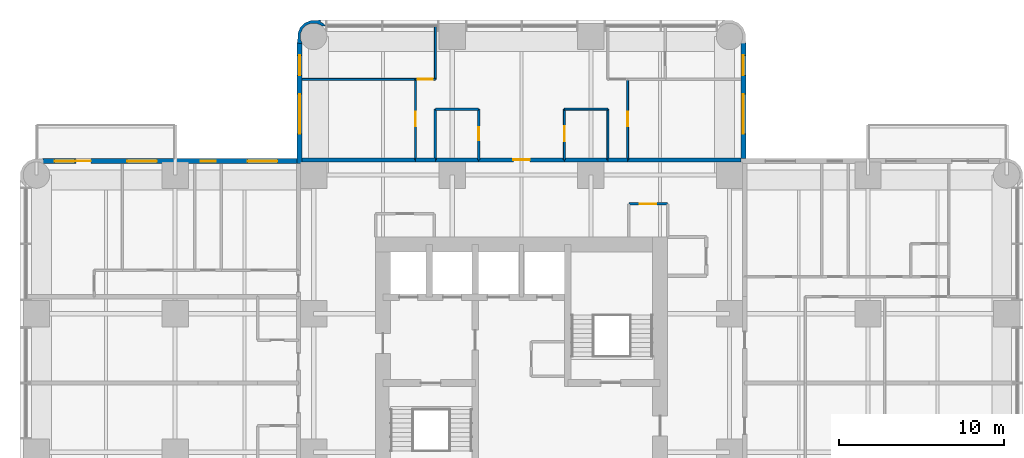
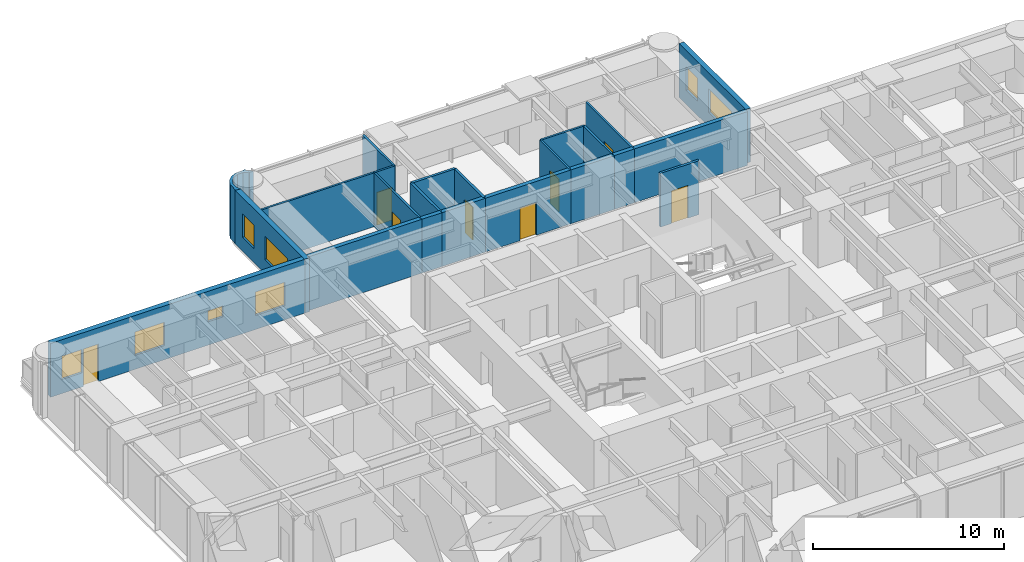
# One storey, part 11 of 14: 23 walls, 8 doors, 8 windows, 16 openings.
"""IFC4 building model written with IfcOpenShell, lengths in metres."""

from ifc_helpers import new_model, si_unit, direction, frame, frame_2d, origin, place, context, subcontext, project, spatial, polyline, rectangle, outline, extrude, material, layer, layer_set, type_object, element, fill, save


model = new_model("IFC4")

# Units and contexts
model_context = context("Model", 3, precision=1e-05, world=origin(), true_north=direction((0.0, 1.0)))
body_context = subcontext(model_context, "Body", "Model", "MODEL_VIEW")
ifc_project = project(units=[si_unit("LENGTHUNIT", "METRE"), si_unit("AREAUNIT", "SQUARE_METRE"), si_unit("VOLUMEUNIT", "CUBIC_METRE"), si_unit("PLANEANGLEUNIT", "RADIAN"), si_unit("MASSUNIT", "GRAM", prefix="KILO")], contexts=[model_context])

# Site, building, storey
site_placement = place(None, origin())
site = spatial("IfcSite", under=ifc_project, at=site_placement, CompositionType="ELEMENT")
building_placement = place(site_placement, origin())
building = spatial("IfcBuilding", under=site, at=building_placement, Name="Torre Alcanfor", CompositionType="ELEMENT")
storey_placement = place(building_placement, frame((0.0, 0.0, 137.699951171875)))
storey = spatial("IfcBuildingStorey", under=building, at=storey_placement, Name="L35", CompositionType="ELEMENT", Elevation=137.699951171875)

# Wall, opening, door
ifc_material_1 = material(Name="Concrete block masonry, hollow blocks NMX-C-404 9 MPa", Category="masonry")
ifc_layer_1 = layer(ifc_material_1, 0.25)
ifc_layer_set_1 = layer_set([ifc_layer_1], Name="Apartment entrance wall 250 EI 60")
wall_type_1 = type_object("IfcWallType", Name="Apartment entrance wall 250 EI 60", PredefinedType="PARTITIONING", material=ifc_layer_set_1)
wall_1_placement = place(storey_placement, frame((26.800048828125, 42.925048828125, 0.0), z_axis=(0.0, 0.0, 1.0), x_axis=(1.0, 0.0, 0.0)))
wall_1 = element("IfcWall", 1, at=wall_1_placement, inside=storey, type_object=wall_type_1, Name="Partition L35-CORR / L35-NX-ZAG", PredefinedType="PARTITIONING", context=body_context, shape_type="SweptSolid", body=[
    extrude(rectangle(XDim=5.199951171875, YDim=0.25, at=frame_2d((2.60009765625, 0.0))), origin(), (0.0, 0.0, 1.0), 3.449951171875),
])
opening_1_placement = place(wall_1_placement, frame((2.10009765625, 0.0, 0.0)))
opening_1 = element("IfcOpeningElement", 2, at=opening_1_placement, cuts=wall_1, Name="Opening D-A1", PredefinedType="OPENING", context=body_context, shape_type="SweptSolid", body=[
    extrude(rectangle(XDim=1.0, YDim=2.10009765625, at=frame_2d((0.5, 1.050048828125))), frame((0.0, 0.135009765625, 0.0), z_axis=(0.0, -1.0, 0.0), x_axis=(1.0, 0.0, 0.0)), (0.0, 0.0, 1.0), 0.27001953125),
])
ifc_material_2 = material(Name="Galvanised steel sheet ASTM A653", Category="steel")
door_type_1 = type_object("IfcDoorType", Name="Apartment entrance door FD60 1000x2100", OperationType="SINGLE_SWING_LEFT", PredefinedType="DOOR", material=ifc_material_2)
door_1_placement = place(opening_1_placement, origin())
door_1 = element("IfcDoor", 3, at=door_1_placement, inside=storey, type_object=door_type_1, Name="Apartment entrance L35-NX", OperationType="SINGLE_SWING_LEFT", OverallHeight=2.10009765625, OverallWidth=1.0, PredefinedType="DOOR", context=body_context, shape_type="SweptSolid", body=[
    extrude(rectangle(XDim=1.0, YDim=2.10009765625, at=frame_2d((0.5, 1.050048828125))), frame((0.0, 0.02490234375, 0.0), z_axis=(0.0, -1.0, 0.0), x_axis=(1.0, 0.0, 0.0)), (0.0, 0.0, 1.0), 0.050048828125),
])
fill(opening_1, door_1)

# Walls
wall_2_placement = place(storey_placement, frame((24.1708984375, 42.925048828125, 0.0), z_axis=(0.0, 0.0, 1.0), x_axis=(1.0, 0.0, 0.0)))
element("IfcWall", 4, at=wall_2_placement, inside=storey, type_object=wall_type_1, Name="Partition L35-CORR / L35-NX-BATH2", PredefinedType="PARTITIONING", context=body_context, shape_type="SweptSolid", body=[
    extrude(rectangle(XDim=2.629150390625, YDim=0.25, at=frame_2d((1.314453125, 0.0))), origin(), (0.0, 0.0, 1.0), 3.449951171875),
])
wall_3_placement = place(storey_placement, frame((32.0, 42.925048828125, 0.0), z_axis=(0.0, 0.0, 1.0), x_axis=(1.0, 0.0, 0.0)))
element("IfcWall", 5, at=wall_3_placement, inside=storey, type_object=wall_type_1, Name="Partition L35-CORR / L35-NX-KITCHEN", PredefinedType="PARTITIONING", context=body_context, shape_type="SweptSolid", body=[
    extrude(rectangle(XDim=2.62890625, YDim=0.25, at=frame_2d((1.314453125, 0.0))), origin(), (0.0, 0.0, 1.0), 3.449951171875),
])
wall_4_placement = place(storey_placement, frame((22.970947265625, 42.925048828125, 0.0), z_axis=(0.0, 0.0, 1.0), x_axis=(1.0, 0.0, 0.0)))
element("IfcWall", 6, at=wall_4_placement, inside=storey, type_object=wall_type_1, Name="Partition L35-CORR / L35-NX-LIVING", PredefinedType="PARTITIONING", context=body_context, shape_type="SweptSolid", body=[
    extrude(rectangle(XDim=1.199951171875, YDim=0.25, at=frame_2d((0.60009765625, 0.0))), origin(), (0.0, 0.0, 1.0), 3.449951171875),
])
wall_5_placement = place(storey_placement, frame((34.62890625, 42.925048828125, 0.0), z_axis=(0.0, 0.0, 1.0), x_axis=(1.0, 0.0, 0.0)))
element("IfcWall", 7, at=wall_5_placement, inside=storey, type_object=wall_type_1, Name="Partition L35-CORR / L35-NX-LIVING", PredefinedType="PARTITIONING", context=body_context, shape_type="SweptSolid", body=[
    extrude(rectangle(XDim=1.2001953125, YDim=0.25, at=frame_2d((0.60009765625, 0.0))), origin(), (0.0, 0.0, 1.0), 3.449951171875),
])
for number, where, z_axis, x_axis, name in (
    (8, (16.10009765625, 42.925048828125, 0.0), (0.0, 0.0, 1.0), (1.0, 0.0, 0.0), "Partition L35-CORR / L35-NX-BED2"),
    (9, (35.8291015625, 42.925048828125, 0.0), (0.0, 0.0, 1.0), (1.0, 0.0, 0.0), "Partition L35-CORR / L35-NX-BED3"),
):
    element("IfcWall", number, at=place(storey_placement, frame(where, z_axis=z_axis, x_axis=x_axis)), inside=storey, type_object=wall_type_1, Name=name, PredefinedType="PARTITIONING", context=body_context, shape_type="SweptSolid", body=[
        extrude(rectangle(XDim=6.870849609375, YDim=0.25, at=frame_2d((3.435546875, 0.0))), origin(), (0.0, 0.0, 1.0), 3.449951171875),
    ])

# Wall, opening, door
ifc_material_3 = material(Name="Gypsum board on steel studs", Category="steel")
ifc_layer_2 = layer(ifc_material_3, 0.1201171875)
ifc_layer_set_2 = layer_set([ifc_layer_2], Name="Apartment partition 120")
wall_type_2 = type_object("IfcWallType", Name="Apartment partition 120", PredefinedType="PARTITIONING", material=ifc_layer_set_2)
wall_6_placement = place(storey_placement, frame((32.0, 42.925048828125, 0.0), z_axis=(0.0, 0.0, 1.0), x_axis=(0.0, 1.0, 0.0)))
wall_6 = element("IfcWall", 10, at=wall_6_placement, inside=storey, type_object=wall_type_2, Name="Partition L35-NX-ZAG / L35-NX-KITCHEN", PredefinedType="PARTITIONING", context=body_context, shape_type="SweptSolid", body=[
    extrude(rectangle(XDim=3.074951171875, YDim=0.1201171875, at=frame_2d((1.53759765625, 0.0))), origin(), (0.0, 0.0, 1.0), 3.449951171875),
])
opening_2_placement = place(wall_6_placement, frame((1.125, 0.0, 0.0)))
opening_2 = element("IfcOpeningElement", 11, at=opening_2_placement, cuts=wall_6, Name="Opening D-R1", PredefinedType="OPENING", context=body_context, shape_type="SweptSolid", body=[
    extrude(rectangle(XDim=0.89990234375, YDim=2.10009765625, at=frame_2d((0.449951171875, 1.050048828125))), frame((0.0, 0.070068359375, 0.0), z_axis=(0.0, -1.0, 0.0), x_axis=(1.0, 0.0, 0.0)), (0.0, 0.0, 1.0), 0.14013671875),
])
ifc_material_4 = material(Name="Timber", Category="wood")
door_type_2 = type_object("IfcDoorType", Name="Internal door 900x2100", OperationType="SINGLE_SWING_LEFT", PredefinedType="DOOR", material=ifc_material_4)
door_2_placement = place(opening_2_placement, frame((0.89990234375, 0.0, 0.0), z_axis=(0.0, 0.0, 1.0), x_axis=(-1.0, 0.0, 0.0)))
door_2 = element("IfcDoor", 12, at=door_2_placement, inside=storey, type_object=door_type_2, Name="Door L35-NX kitchen", OperationType="SINGLE_SWING_LEFT", OverallHeight=2.10009765625, OverallWidth=0.89990234375, PredefinedType="DOOR", context=body_context, shape_type="SweptSolid", body=[
    extrude(rectangle(XDim=0.89990234375, YDim=2.10009765625, at=frame_2d((0.449951171875, 1.050048828125))), frame((0.0, 0.025146484375, 0.0), z_axis=(0.0, -1.0, 0.0), x_axis=(1.0, 0.0, 0.0)), (0.0, 0.0, 1.0), 0.050048828125),
])
fill(opening_2, door_2)

# Walls
wall_7_placement = place(storey_placement, frame((34.62890625, 42.925048828125, 0.0), z_axis=(0.0, 0.0, 1.0), x_axis=(0.0, 1.0, 0.0)))
element("IfcWall", 13, at=wall_7_placement, inside=storey, type_object=wall_type_2, Name="Partition L35-NX-KITCHEN / L35-NX-LIVING", PredefinedType="PARTITIONING", context=body_context, shape_type="SweptSolid", body=[
    extrude(rectangle(XDim=3.074951171875, YDim=0.1201171875, at=frame_2d((1.53759765625, 0.0))), origin(), (0.0, 0.0, 1.0), 3.449951171875),
])
wall_8_placement = place(storey_placement, frame((34.62890625, 46.0, 0.0), z_axis=(0.0, 0.0, 1.0), x_axis=(-1.0, 0.0, 0.0)))
element("IfcWall", 14, at=wall_8_placement, inside=storey, type_object=wall_type_2, Name="Partition L35-NX-KITCHEN / L35-NX-LIVING", PredefinedType="PARTITIONING", context=body_context, shape_type="SweptSolid", body=[
    extrude(rectangle(XDim=2.62890625, YDim=0.1201171875, at=frame_2d((1.314453125, 0.0))), origin(), (0.0, 0.0, 1.0), 3.449951171875),
])

# Wall, opening, door
wall_9_placement = place(storey_placement, frame((22.970947265625, 42.925048828125, 0.0), z_axis=(0.0, 0.0, 1.0), x_axis=(0.0, 1.0, 0.0)))
wall_9 = element("IfcWall", 15, at=wall_9_placement, inside=storey, type_object=wall_type_2, Name="Partition L35-NX-LIVING / L35-NX-BED2", PredefinedType="PARTITIONING", context=body_context, shape_type="SweptSolid", body=[
    extrude(rectangle(XDim=4.875, YDim=0.1201171875, at=frame_2d((2.4375, 0.0))), origin(), (0.0, 0.0, 1.0), 3.449951171875),
])
opening_3_placement = place(wall_9_placement, frame((2.02490234375, 0.0, 0.0)))
opening_3 = element("IfcOpeningElement", 16, at=opening_3_placement, cuts=wall_9, Name="Opening D-R1", PredefinedType="OPENING", context=body_context, shape_type="SweptSolid", body=[
    extrude(rectangle(XDim=0.89990234375, YDim=2.10009765625, at=frame_2d((0.449951171875, 1.050048828125))), frame((0.0, 0.070068359375, 0.0), z_axis=(0.0, -1.0, 0.0), x_axis=(1.0, 0.0, 0.0)), (0.0, 0.0, 1.0), 0.14013671875),
])
door_3_placement = place(opening_3_placement, origin())
door_3 = element("IfcDoor", 17, at=door_3_placement, inside=storey, type_object=door_type_2, Name="Door L35-NX bed2", OperationType="SINGLE_SWING_RIGHT", OverallHeight=2.10009765625, OverallWidth=0.89990234375, PredefinedType="DOOR", context=body_context, shape_type="SweptSolid", body=[
    extrude(rectangle(XDim=0.89990234375, YDim=2.10009765625, at=frame_2d((0.449951171875, 1.050048828125))), frame((0.0, 0.02490234375, 0.0), z_axis=(0.0, -1.0, 0.0), x_axis=(1.0, 0.0, 0.0)), (0.0, 0.0, 1.0), 0.050048828125),
])
fill(opening_3, door_3)

wall_10_placement = place(storey_placement, frame((22.970947265625, 47.800048828125, 0.0), z_axis=(0.0, 0.0, 1.0), x_axis=(1.0, 0.0, 0.0)))
wall_10 = element("IfcWall", 18, at=wall_10_placement, inside=storey, type_object=wall_type_2, Name="Partition L35-NX-LIVING / L35-NX-MASTER", PredefinedType="PARTITIONING", context=body_context, shape_type="SweptSolid", body=[
    extrude(rectangle(XDim=1.199951171875, YDim=0.1201171875, at=frame_2d((0.60009765625, 0.0))), origin(), (0.0, 0.0, 1.0), 3.449951171875),
])
opening_4_placement = place(wall_10_placement, frame((0.14892578125, 0.0, 0.0)))
opening_4 = element("IfcOpeningElement", 19, at=opening_4_placement, cuts=wall_10, Name="Opening D-R1", PredefinedType="OPENING", context=body_context, shape_type="SweptSolid", body=[
    extrude(rectangle(XDim=0.89990234375, YDim=2.10009765625, at=frame_2d((0.449951171875, 1.050048828125))), frame((0.0, 0.070068359375, 0.0), z_axis=(0.0, -1.0, 0.0), x_axis=(1.0, 0.0, 0.0)), (0.0, 0.0, 1.0), 0.14013671875),
])
door_4_placement = place(opening_4_placement, origin())
door_4 = element("IfcDoor", 20, at=door_4_placement, inside=storey, type_object=door_type_2, Name="Door L35-NX master", OperationType="SINGLE_SWING_RIGHT", OverallHeight=2.10009765625, OverallWidth=0.89990234375, PredefinedType="DOOR", context=body_context, shape_type="SweptSolid", body=[
    extrude(rectangle(XDim=0.89990234375, YDim=2.10009765625, at=frame_2d((0.449951171875, 1.050048828125))), frame((0.0, 0.02490234375, 0.0), z_axis=(0.0, -1.0, 0.0), x_axis=(1.0, 0.0, 0.0)), (0.0, 0.0, 1.0), 0.050048828125),
])
fill(opening_4, door_4)

# Wall
wall_11_placement = place(storey_placement, frame((24.1708984375, 47.800048828125, 0.0), z_axis=(0.0, 0.0, 1.0), x_axis=(0.0, 1.0, 0.0)))
element("IfcWall", 21, at=wall_11_placement, inside=storey, type_object=wall_type_2, Name="Partition L35-NX-LIVING / L35-NX-MASTER", PredefinedType="PARTITIONING", context=body_context, shape_type="SweptSolid", body=[
    extrude(rectangle(XDim=3.25, YDim=0.1201171875, at=frame_2d((1.625, 0.0))), origin(), (0.0, 0.0, 1.0), 3.449951171875),
])

# Wall, opening, door
wall_12_placement = place(storey_placement, frame((35.8291015625, 47.800048828125, 0.0), z_axis=(0.0, 0.0, 1.0), x_axis=(0.0, -1.0, 0.0)))
wall_12 = element("IfcWall", 22, at=wall_12_placement, inside=storey, type_object=wall_type_2, Name="Partition L35-NX-LIVING / L35-NX-BED3", PredefinedType="PARTITIONING", context=body_context, shape_type="SweptSolid", body=[
    extrude(rectangle(XDim=4.875, YDim=0.1201171875, at=frame_2d((2.4375, 0.0))), origin(), (0.0, 0.0, 1.0), 3.449951171875),
])
opening_5_placement = place(wall_12_placement, frame((1.949951171875, 0.0, 0.0)))
opening_5 = element("IfcOpeningElement", 23, at=opening_5_placement, cuts=wall_12, Name="Opening D-R1", PredefinedType="OPENING", context=body_context, shape_type="SweptSolid", body=[
    extrude(rectangle(XDim=0.89990234375, YDim=2.10009765625, at=frame_2d((0.449951171875, 1.050048828125))), frame((0.0, 0.070068359375, 0.0), z_axis=(0.0, -1.0, 0.0), x_axis=(1.0, 0.0, 0.0)), (0.0, 0.0, 1.0), 0.14013671875),
])
door_5_placement = place(opening_5_placement, origin())
door_5 = element("IfcDoor", 24, at=door_5_placement, inside=storey, type_object=door_type_2, Name="Door L35-NX bed3", OperationType="SINGLE_SWING_LEFT", OverallHeight=2.10009765625, OverallWidth=0.89990234375, PredefinedType="DOOR", context=body_context, shape_type="SweptSolid", body=[
    extrude(rectangle(XDim=0.89990234375, YDim=2.10009765625, at=frame_2d((0.449951171875, 1.050048828125))), frame((0.0, 0.02490234375, 0.0), z_axis=(0.0, -1.0, 0.0), x_axis=(1.0, 0.0, 0.0)), (0.0, 0.0, 1.0), 0.050048828125),
])
fill(opening_5, door_5)

# Wall
wall_13_placement = place(storey_placement, frame((22.970947265625, 47.800048828125, 0.0), z_axis=(0.0, 0.0, 1.0), x_axis=(-1.0, 0.0, 0.0)))
element("IfcWall", 25, at=wall_13_placement, inside=storey, type_object=wall_type_2, Name="Partition L35-NX-BED2 / L35-NX-MASTER", PredefinedType="PARTITIONING", context=body_context, shape_type="SweptSolid", body=[
    extrude(rectangle(XDim=6.870849609375, YDim=0.1201171875, at=frame_2d((3.435546875, 0.0))), origin(), (0.0, 0.0, 1.0), 3.449951171875),
])

# Wall, openings, door, windows
ifc_material_5 = material(Name="Limestone cladding", Category="masonry")
ifc_layer_3 = layer(ifc_material_5, 0.0400390625, Name="Facing")
ifc_material_6 = material(Name="Ventilated air cavity")
ifc_layer_4 = layer(ifc_material_6, 0.02001953125, ventilated=True, Name="Ventilated joint")
ifc_material_7 = material(Name="Mineral wool insulation", Category="insulation")
ifc_layer_5 = layer(ifc_material_7, 0.10009765625, Name="Insulation")
ifc_material_8 = material(Name="Concrete f'c 35 MPa", Category="concrete")
ifc_layer_6 = layer(ifc_material_8, 0.139892578125, Name="Backing")
ifc_layer_set_3 = layer_set([ifc_layer_3, ifc_layer_4, ifc_layer_5, ifc_layer_6], Name="External wall stone-clad 300")
wall_type_3 = type_object("IfcWallType", Name="External wall stone-clad 300", PredefinedType="SOLIDWALL", material=ifc_layer_set_3)
wall_14_placement = place(storey_placement, frame((15.800048828125, 42.85009765625, 0.0), z_axis=(0.0, 0.0, 1.0), x_axis=(-1.0, 0.0, 0.0)))
wall_14 = element("IfcWall", 26, at=wall_14_placement, inside=storey, type_object=wall_type_3, Name="External wall L35 1", PredefinedType="SOLIDWALL", context=body_context, shape_type="SweptSolid", body=[
    extrude(rectangle(XDim=15.400146484375, YDim=0.300048828125, at=frame_2d((7.7001953125, 0.0))), origin(), (0.0, 0.0, 1.0), 3.449951171875),
])
opening_6_placement = place(wall_14_placement, frame((1.199951171875, 0.0, 0.89990234375)))
opening_6 = element("IfcOpeningElement", 27, at=opening_6_placement, cuts=wall_14, Name="Opening W2", PredefinedType="OPENING", context=body_context, shape_type="SweptSolid", body=[
    extrude(rectangle(XDim=1.800048828125, YDim=1.5, at=frame_2d((0.89990234375, 0.75))), frame((0.0, 0.159912109375, 0.0), z_axis=(0.0, -1.0, 0.0), x_axis=(1.0, 0.0, 0.0)), (0.0, 0.0, 1.0), 0.320068359375),
])
opening_7_placement = place(wall_14_placement, frame((4.949951171875, 0.0, 1.5)))
opening_7 = element("IfcOpeningElement", 28, at=opening_7_placement, cuts=wall_14, Name="Opening W3", PredefinedType="OPENING", context=body_context, shape_type="SweptSolid", body=[
    extrude(rectangle(XDim=0.89990234375, YDim=0.699951171875, at=frame_2d((0.449951171875, 0.35009765625))), frame((0.0, 0.159912109375, 0.0), z_axis=(0.0, -1.0, 0.0), x_axis=(1.0, 0.0, 0.0)), (0.0, 0.0, 1.0), 0.320068359375),
])
opening_8_placement = place(wall_14_placement, frame((8.5, 0.0, 0.89990234375)))
opening_8 = element("IfcOpeningElement", 29, at=opening_8_placement, cuts=wall_14, Name="Opening W2", PredefinedType="OPENING", context=body_context, shape_type="SweptSolid", body=[
    extrude(rectangle(XDim=1.800048828125, YDim=1.5, at=frame_2d((0.89990234375, 0.75))), frame((0.0, 0.159912109375, 0.0), z_axis=(0.0, -1.0, 0.0), x_axis=(1.0, 0.0, 0.0)), (0.0, 0.0, 1.0), 0.320068359375),
])
opening_9_placement = place(wall_14_placement, frame((12.5, 0.0, 0.0)))
opening_9 = element("IfcOpeningElement", 30, at=opening_9_placement, cuts=wall_14, Name="Opening D-B1", PredefinedType="OPENING", context=body_context, shape_type="SweptSolid", body=[
    extrude(rectangle(XDim=0.89990234375, YDim=2.39990234375, at=frame_2d((0.449951171875, 1.199951171875))), frame((0.0, 0.159912109375, 0.0), z_axis=(0.0, -1.0, 0.0), x_axis=(1.0, 0.0, 0.0)), (0.0, 0.0, 1.0), 0.320068359375),
])
opening_10_placement = place(wall_14_placement, frame((13.5, 0.0, 0.89990234375)))
opening_10 = element("IfcOpeningElement", 31, at=opening_10_placement, cuts=wall_14, Name="Opening W4", PredefinedType="OPENING", context=body_context, shape_type="SweptSolid", body=[
    extrude(rectangle(XDim=1.199951171875, YDim=1.5, at=frame_2d((0.60009765625, 0.75))), frame((0.0, 0.159912109375, 0.0), z_axis=(0.0, -1.0, 0.0), x_axis=(1.0, 0.0, 0.0)), (0.0, 0.0, 1.0), 0.320068359375),
])
ifc_material_9 = material(Name="Aluminium and glass", Category="aluminium")
door_type_3 = type_object("IfcDoorType", Name="Balcony door glazed 900x2400", OperationType="SINGLE_SWING_LEFT", PredefinedType="DOOR", material=ifc_material_9)
door_6_placement = place(opening_9_placement, origin())
door_6 = element("IfcDoor", 32, at=door_6_placement, inside=storey, type_object=door_type_3, Name="Balcony door L35-W2", OperationType="SINGLE_SWING_LEFT", OverallHeight=2.39990234375, OverallWidth=0.89990234375, PredefinedType="DOOR", context=body_context, shape_type="SweptSolid", body=[
    extrude(rectangle(XDim=0.89990234375, YDim=2.39990234375, at=frame_2d((0.449951171875, 1.199951171875))), frame((0.0, 0.02490234375, 0.0), z_axis=(0.0, -1.0, 0.0), x_axis=(1.0, 0.0, 0.0)), (0.0, 0.0, 1.0), 0.050048828125),
])
fill(opening_9, door_6)
ifc_material_10 = material(Name="Aluminium frame with clear double glazing", Category="aluminium")
window_type_1 = type_object("IfcWindowType", Name="Window bathroom 900x700", PartitioningType="SINGLE_PANEL", PredefinedType="WINDOW", material=ifc_material_10)
window_1_placement = place(opening_7_placement, origin())
window_1 = element("IfcWindow", 33, at=window_1_placement, inside=storey, type_object=window_type_1, Name="Window W3 L35-W2", OverallHeight=0.699951171875, OverallWidth=0.89990234375, PartitioningType="SINGLE_PANEL", PredefinedType="WINDOW", context=body_context, shape_type="SweptSolid", body=[
    extrude(rectangle(XDim=0.89990234375, YDim=0.699951171875, at=frame_2d((0.449951171875, 0.35009765625))), frame((0.0, 0.030029296875, 0.0), z_axis=(0.0, -1.0, 0.0), x_axis=(1.0, 0.0, 0.0)), (0.0, 0.0, 1.0), 0.06005859375),
])
fill(opening_7, window_1)
ifc_material_11 = material(Name="Aluminium frame with clear double glazing", Category="aluminium")
window_type_2 = type_object("IfcWindowType", Name="Window bedroom 1200x1500", PartitioningType="SINGLE_PANEL", PredefinedType="WINDOW", material=ifc_material_11)
window_2_placement = place(opening_10_placement, origin())
window_2 = element("IfcWindow", 34, at=window_2_placement, inside=storey, type_object=window_type_2, Name="Window W4 L35-W2", OverallHeight=1.5, OverallWidth=1.199951171875, PartitioningType="SINGLE_PANEL", PredefinedType="WINDOW", context=body_context, shape_type="SweptSolid", body=[
    extrude(rectangle(XDim=1.199951171875, YDim=1.5, at=frame_2d((0.60009765625, 0.75))), frame((0.0, 0.030029296875, 0.0), z_axis=(0.0, -1.0, 0.0), x_axis=(1.0, 0.0, 0.0)), (0.0, 0.0, 1.0), 0.06005859375),
])
fill(opening_10, window_2)
ifc_material_12 = material(Name="Aluminium frame with clear double glazing", Category="aluminium")
window_type_3 = type_object("IfcWindowType", Name="Window bedroom 1800x1500", PartitioningType="SINGLE_PANEL", PredefinedType="WINDOW", material=ifc_material_12)
window_3_placement = place(opening_6_placement, origin())
window_3 = element("IfcWindow", 35, at=window_3_placement, inside=storey, type_object=window_type_3, Name="Window W2 L35-W2", OverallHeight=1.5, OverallWidth=1.800048828125, PartitioningType="SINGLE_PANEL", PredefinedType="WINDOW", context=body_context, shape_type="SweptSolid", body=[
    extrude(rectangle(XDim=1.800048828125, YDim=1.5, at=frame_2d((0.89990234375, 0.75))), frame((0.0, 0.030029296875, 0.0), z_axis=(0.0, -1.0, 0.0), x_axis=(1.0, 0.0, 0.0)), (0.0, 0.0, 1.0), 0.06005859375),
])
fill(opening_6, window_3)
window_4_placement = place(opening_8_placement, origin())
window_4 = element("IfcWindow", 36, at=window_4_placement, inside=storey, type_object=window_type_3, Name="Window W2 L35-W2", OverallHeight=1.5, OverallWidth=1.800048828125, PartitioningType="SINGLE_PANEL", PredefinedType="WINDOW", context=body_context, shape_type="SweptSolid", body=[
    extrude(rectangle(XDim=1.800048828125, YDim=1.5, at=frame_2d((0.89990234375, 0.75))), frame((0.0, 0.030029296875, 0.0), z_axis=(0.0, -1.0, 0.0), x_axis=(1.0, 0.0, 0.0)), (0.0, 0.0, 1.0), 0.06005859375),
])
fill(opening_8, window_4)

# Wall, openings, windows
wall_15_placement = place(storey_placement, frame((42.85009765625, 43.0, 0.0), z_axis=(0.0, 0.0, 1.0), x_axis=(0.0, 1.0, 0.0)))
wall_15 = element("IfcWall", 37, at=wall_15_placement, inside=storey, type_object=wall_type_3, Name="External wall L35 10", PredefinedType="SOLIDWALL", context=body_context, shape_type="SweptSolid", body=[
    extrude(rectangle(XDim=7.0, YDim=0.300048828125, at=frame_2d((3.5, 0.0))), origin(), (0.0, 0.0, 1.0), 3.449951171875),
])
opening_11_placement = place(wall_15_placement, frame((1.5, 0.0, 0.89990234375)))
opening_11 = element("IfcOpeningElement", 38, at=opening_11_placement, cuts=wall_15, Name="Opening W1", PredefinedType="OPENING", context=body_context, shape_type="SweptSolid", body=[
    extrude(rectangle(XDim=2.39990234375, YDim=1.5, at=frame_2d((1.199951171875, 0.75))), frame((0.0, 0.159912109375, 0.0), z_axis=(0.0, -1.0, 0.0), x_axis=(1.0, 0.0, 0.0)), (0.0, 0.0, 1.0), 0.320068359375),
])
opening_12_placement = place(wall_15_placement, frame((5.050048828125, 0.0, 0.89990234375)))
opening_12 = element("IfcOpeningElement", 39, at=opening_12_placement, cuts=wall_15, Name="Opening W4", PredefinedType="OPENING", context=body_context, shape_type="SweptSolid", body=[
    extrude(rectangle(XDim=1.199951171875, YDim=1.5, at=frame_2d((0.60009765625, 0.75))), frame((0.0, 0.159912109375, 0.0), z_axis=(0.0, -1.0, 0.0), x_axis=(1.0, 0.0, 0.0)), (0.0, 0.0, 1.0), 0.320068359375),
])
window_5_placement = place(opening_12_placement, origin())
window_5 = element("IfcWindow", 40, at=window_5_placement, inside=storey, type_object=window_type_2, Name="Window W4 L35-N2", OverallHeight=1.5, OverallWidth=1.199951171875, PartitioningType="SINGLE_PANEL", PredefinedType="WINDOW", context=body_context, shape_type="SweptSolid", body=[
    extrude(rectangle(XDim=1.199951171875, YDim=1.5, at=frame_2d((0.60009765625, 0.75))), frame((0.0, 0.030029296875, 0.0), z_axis=(0.0, -1.0, 0.0), x_axis=(1.0, 0.0, 0.0)), (0.0, 0.0, 1.0), 0.06005859375),
])
fill(opening_12, window_5)
ifc_material_13 = material(Name="Aluminium frame with clear double glazing", Category="aluminium")
window_type_4 = type_object("IfcWindowType", Name="Window bedroom 2400x1500", PartitioningType="SINGLE_PANEL", PredefinedType="WINDOW", material=ifc_material_13)
window_6_placement = place(opening_11_placement, origin())
window_6 = element("IfcWindow", 41, at=window_6_placement, inside=storey, type_object=window_type_4, Name="Window W1 L35-N2", OverallHeight=1.5, OverallWidth=2.39990234375, PartitioningType="SINGLE_PANEL", PredefinedType="WINDOW", context=body_context, shape_type="SweptSolid", body=[
    extrude(rectangle(XDim=2.39990234375, YDim=1.5, at=frame_2d((1.199951171875, 0.75))), frame((0.0, 0.030029296875, 0.0), z_axis=(0.0, -1.0, 0.0), x_axis=(1.0, 0.0, 0.0)), (0.0, 0.0, 1.0), 0.06005859375),
])
fill(opening_11, window_6)

wall_16_placement = place(storey_placement, frame((15.949951171875, 50.0, 0.0), z_axis=(0.0, 0.0, 1.0), x_axis=(0.0, -1.0, 0.0)))
wall_16 = element("IfcWall", 42, at=wall_16_placement, inside=storey, type_object=wall_type_3, Name="External wall L35 12", PredefinedType="SOLIDWALL", context=body_context, shape_type="SweptSolid", body=[
    extrude(rectangle(XDim=7.300048828125, YDim=0.300048828125, at=frame_2d((3.64990234375, 0.0))), origin(), (0.0, 0.0, 1.0), 3.449951171875),
])
opening_13_placement = place(wall_16_placement, frame((3.10009765625, 0.0, 0.89990234375)))
opening_13 = element("IfcOpeningElement", 43, at=opening_13_placement, cuts=wall_16, Name="Opening W1", PredefinedType="OPENING", context=body_context, shape_type="SweptSolid", body=[
    extrude(rectangle(XDim=2.39990234375, YDim=1.5, at=frame_2d((1.199951171875, 0.75))), frame((0.0, 0.159912109375, 0.0), z_axis=(0.0, -1.0, 0.0), x_axis=(1.0, 0.0, 0.0)), (0.0, 0.0, 1.0), 0.320068359375),
])
opening_14_placement = place(wall_16_placement, frame((0.75, 0.0, 0.89990234375)))
opening_14 = element("IfcOpeningElement", 44, at=opening_14_placement, cuts=wall_16, Name="Opening W4", PredefinedType="OPENING", context=body_context, shape_type="SweptSolid", body=[
    extrude(rectangle(XDim=1.199951171875, YDim=1.5, at=frame_2d((0.60009765625, 0.75))), frame((0.0, 0.159912109375, 0.0), z_axis=(0.0, -1.0, 0.0), x_axis=(1.0, 0.0, 0.0)), (0.0, 0.0, 1.0), 0.320068359375),
])
window_7_placement = place(opening_14_placement, origin())
window_7 = element("IfcWindow", 45, at=window_7_placement, inside=storey, type_object=window_type_2, Name="Window W4 L35-N1", OverallHeight=1.5, OverallWidth=1.199951171875, PartitioningType="SINGLE_PANEL", PredefinedType="WINDOW", context=body_context, shape_type="SweptSolid", body=[
    extrude(rectangle(XDim=1.199951171875, YDim=1.5, at=frame_2d((0.60009765625, 0.75))), frame((0.0, 0.030029296875, 0.0), z_axis=(0.0, -1.0, 0.0), x_axis=(1.0, 0.0, 0.0)), (0.0, 0.0, 1.0), 0.06005859375),
])
fill(opening_14, window_7)
window_8_placement = place(opening_13_placement, origin())
window_8 = element("IfcWindow", 46, at=window_8_placement, inside=storey, type_object=window_type_4, Name="Window W1 L35-N1", OverallHeight=1.5, OverallWidth=2.39990234375, PartitioningType="SINGLE_PANEL", PredefinedType="WINDOW", context=body_context, shape_type="SweptSolid", body=[
    extrude(rectangle(XDim=2.39990234375, YDim=1.5, at=frame_2d((1.199951171875, 0.75))), frame((0.0, 0.030029296875, 0.0), z_axis=(0.0, -1.0, 0.0), x_axis=(1.0, 0.0, 0.0)), (0.0, 0.0, 1.0), 0.06005859375),
])
fill(opening_13, window_8)

# Wall, opening, door
ifc_material_14 = material(Name="Concrete block masonry, hollow blocks NMX-C-404 9 MPa", Category="masonry")
ifc_layer_7 = layer(ifc_material_14, 0.14990234375)
ifc_layer_set_4 = layer_set([ifc_layer_7], Name="Residents' room partition 150")
wall_type_4 = type_object("IfcWallType", Name="Residents' room partition 150", PredefinedType="PARTITIONING", material=ifc_layer_set_4)
wall_17_placement = place(storey_placement, frame((38.25, 40.25, 0.0), z_axis=(0.0, 0.0, 1.0), x_axis=(-1.0, 0.0, 0.0)))
wall_17 = element("IfcWall", 47, at=wall_17_placement, inside=storey, type_object=wall_type_4, Name="Partition L35-CORR / L35-G02", PredefinedType="PARTITIONING", context=body_context, shape_type="SweptSolid", body=[
    extrude(rectangle(XDim=2.35009765625, YDim=0.14990234375, at=frame_2d((1.175048828125, 0.0))), origin(), (0.0, 0.0, 1.0), 3.449951171875),
])
opening_15_placement = place(wall_17_placement, frame((0.675048828125, 0.0, 0.0)))
opening_15 = element("IfcOpeningElement", 48, at=opening_15_placement, cuts=wall_17, Name="Opening D-M1", PredefinedType="OPENING", context=body_context, shape_type="SweptSolid", body=[
    extrude(rectangle(XDim=1.0, YDim=2.10009765625, at=frame_2d((0.5, 1.050048828125))), frame((0.0, 0.0849609375, 0.0), z_axis=(0.0, -1.0, 0.0), x_axis=(1.0, 0.0, 0.0)), (0.0, 0.0, 1.0), 0.169921875),
])
ifc_material_15 = material(Name="Timber", Category="wood")
door_type_4 = type_object("IfcDoorType", Name="Residents' room door 1000x2100", OperationType="SINGLE_SWING_LEFT", PredefinedType="DOOR", material=ifc_material_15)
door_7_placement = place(opening_15_placement, origin())
door_7 = element("IfcDoor", 49, at=door_7_placement, inside=storey, type_object=door_type_4, Name="Door L35-G02 parcel room", OperationType="SINGLE_SWING_LEFT", OverallHeight=2.10009765625, OverallWidth=1.0, PredefinedType="DOOR", context=body_context, shape_type="SweptSolid", body=[
    extrude(rectangle(XDim=1.0, YDim=2.10009765625, at=frame_2d((0.5, 1.050048828125))), frame((0.0, 0.02490234375, 0.0), z_axis=(0.0, -1.0, 0.0), x_axis=(1.0, 0.0, 0.0)), (0.0, 0.0, 1.0), 0.050048828125),
])
fill(opening_15, door_7)

# Wall
ifc_layer_8 = layer(ifc_material_5, 0.0400390625, Name="Facing")
ifc_layer_9 = layer(ifc_material_6, 0.02001953125, ventilated=True, Name="Ventilated joint")
ifc_layer_10 = layer(ifc_material_7, 0.10009765625, Name="Insulation")
ifc_layer_11 = layer(ifc_material_8, 0.139892578125, Name="Backing")
ifc_layer_set_5 = layer_set([ifc_layer_8, ifc_layer_9, ifc_layer_10, ifc_layer_11], Name="Rounded corner pier stone-clad 300")
wall_type_5 = type_object("IfcWallType", Name="Rounded corner pier stone-clad 300", PredefinedType="SOLIDWALL", material=ifc_layer_set_5)
wall_18_placement = place(storey_placement, frame((17.448071802, 50.995317512, 0.0), z_axis=(0.0, 0.0, 1.0), x_axis=(-0.343276641956, 0.93923434088, 0.0)))
element("IfcWall", 50, at=wall_18_placement, inside=storey, type_object=wall_type_5, Name="Corner pier L35 20", PredefinedType="SOLIDWALL", context=body_context, shape_type="SweptSolid", body=[
    extrude(outline(polyline([(0.24108059829103723, 0.022959620234629247), (0.3334805428319213, 0.12357557552177408), (0.4651739844878831, 0.09415889406460926), (0.5320540980205655, 0.3930753034134802), (0.6306958479185591, 0.6629675932609465), (0.6144442310825087, 1.0445145490965344), (0.4535240125743382, 1.3908175635047577), (0.17229496211504458, 1.6490443416962495), (-0.0975973277324218, 1.7476860915942432), (-0.36910859501107685, 1.8895490248211664), (-0.5092558011112671, 1.6213097208797382), (-0.4906820751319597, 1.6145212911926206), (-0.47934485608116756, 1.6085581501360122), (-0.21131694537408713, 1.6200307736528514), (0.0879264176258649, 1.5106616286937335), (0.32264848080083985, 1.2951661291093102), (0.4569426595377669, 1.0061627997252323), (0.4702938084391308, 0.6878005781830546), (0.3609246634800129, 0.3885572151831026), (0.1454291638955897, 0.15383515200812764), (0.10816871297824923, 0.136520951282565), (0.030981753202503952, -0.0746691922599299), (0.24108059829103723, 0.022959620234629247)])), origin(), (0.0, 0.0, 1.0), 3.449951171875),
])

# Wall, opening, door
ifc_material_16 = material(Name="Cement board on steel studs", Category="steel")
ifc_layer_12 = layer(ifc_material_16, 0.14990234375)
ifc_layer_set_6 = layer_set([ifc_layer_12], Name="Wet area partition 150")
wall_type_6 = type_object("IfcWallType", Name="Wet area partition 150", PredefinedType="PARTITIONING", material=ifc_layer_set_6)
wall_19_placement = place(storey_placement, frame((26.800048828125, 46.0, 0.0), z_axis=(0.0, 0.0, 1.0), x_axis=(0.0, -1.0, 0.0)))
wall_19 = element("IfcWall", 51, at=wall_19_placement, inside=storey, type_object=wall_type_6, Name="Partition L35-NX-ZAG / L35-NX-BATH2", PredefinedType="PARTITIONING", context=body_context, shape_type="SweptSolid", body=[
    extrude(rectangle(XDim=3.074951171875, YDim=0.14990234375, at=frame_2d((1.53759765625, 0.0))), origin(), (0.0, 0.0, 1.0), 3.449951171875),
])
opening_16_placement = place(wall_19_placement, frame((1.10009765625, 0.0, 0.0)))
opening_16 = element("IfcOpeningElement", 52, at=opening_16_placement, cuts=wall_19, Name="Opening D-R2", PredefinedType="OPENING", context=body_context, shape_type="SweptSolid", body=[
    extrude(rectangle(XDim=0.800048828125, YDim=2.10009765625, at=frame_2d((0.39990234375, 1.050048828125))), frame((0.0, 0.0849609375, 0.0), z_axis=(0.0, -1.0, 0.0), x_axis=(1.0, 0.0, 0.0)), (0.0, 0.0, 1.0), 0.169921875),
])
ifc_material_17 = material(Name="Timber", Category="wood")
door_type_5 = type_object("IfcDoorType", Name="Bathroom door 800x2100", OperationType="SINGLE_SWING_LEFT", PredefinedType="DOOR", material=ifc_material_17)
door_8_placement = place(opening_16_placement, frame((0.800048828125, 0.0, 0.0), z_axis=(0.0, 0.0, 1.0), x_axis=(-1.0, 0.0, 0.0)))
door_8 = element("IfcDoor", 53, at=door_8_placement, inside=storey, type_object=door_type_5, Name="Door L35-NX bath2", OperationType="SINGLE_SWING_RIGHT", OverallHeight=2.10009765625, OverallWidth=0.800048828125, PredefinedType="DOOR", context=body_context, shape_type="SweptSolid", body=[
    extrude(rectangle(XDim=0.800048828125, YDim=2.10009765625, at=frame_2d((0.400146484375, 1.050048828125))), frame((0.0, 0.025146484375, 0.0), z_axis=(0.0, -1.0, 0.0), x_axis=(1.0, 0.0, 0.0)), (0.0, 0.0, 1.0), 0.050048828125),
])
fill(opening_16, door_8)

# Walls
wall_20_placement = place(storey_placement, frame((26.800048828125, 46.0, 0.0), z_axis=(0.0, 0.0, 1.0), x_axis=(-1.0, 0.0, 0.0)))
element("IfcWall", 54, at=wall_20_placement, inside=storey, type_object=wall_type_6, Name="Partition L35-NX-BATH2 / L35-NX-LIVING", PredefinedType="PARTITIONING", context=body_context, shape_type="SweptSolid", body=[
    extrude(rectangle(XDim=2.629150390625, YDim=0.14990234375, at=frame_2d((1.314453125, 0.0))), origin(), (0.0, 0.0, 1.0), 3.449951171875),
])
wall_21_placement = place(storey_placement, frame((24.1708984375, 46.0, 0.0), z_axis=(0.0, 0.0, 1.0), x_axis=(0.0, -1.0, 0.0)))
element("IfcWall", 55, at=wall_21_placement, inside=storey, type_object=wall_type_6, Name="Partition L35-NX-BATH2 / L35-NX-LIVING", PredefinedType="PARTITIONING", context=body_context, shape_type="SweptSolid", body=[
    extrude(rectangle(XDim=3.074951171875, YDim=0.14990234375, at=frame_2d((1.53759765625, 0.0))), origin(), (0.0, 0.0, 1.0), 3.449951171875),
])

save(model, "model.ifc")
